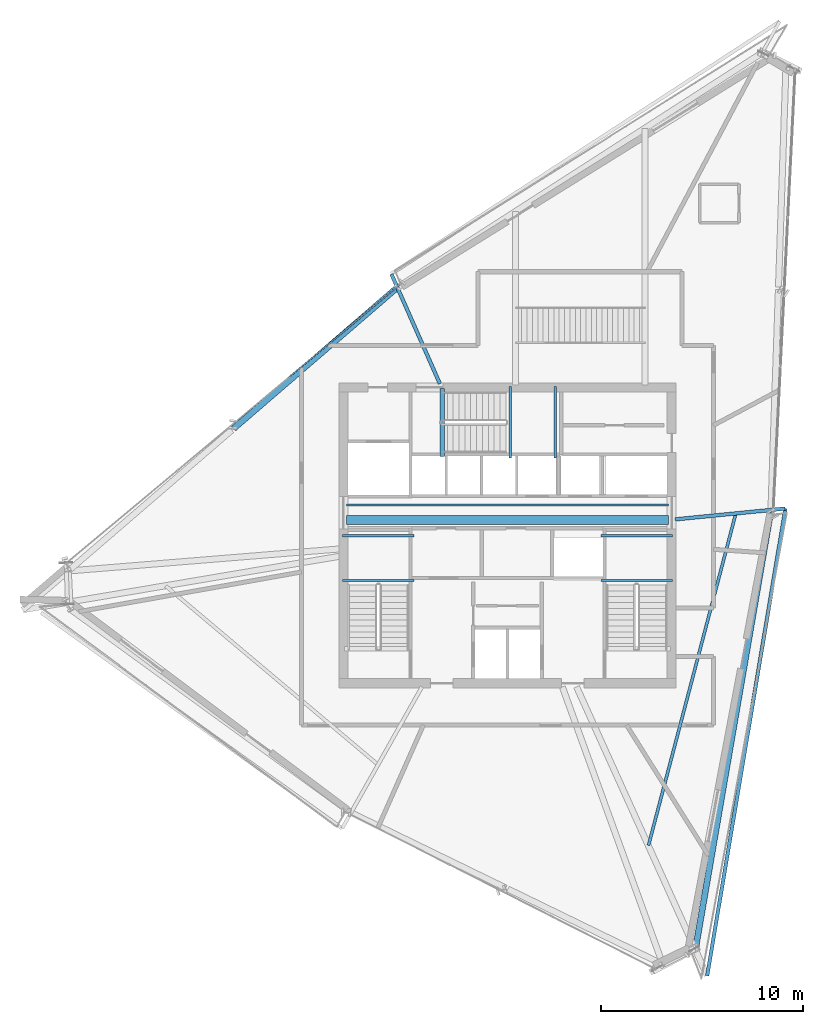
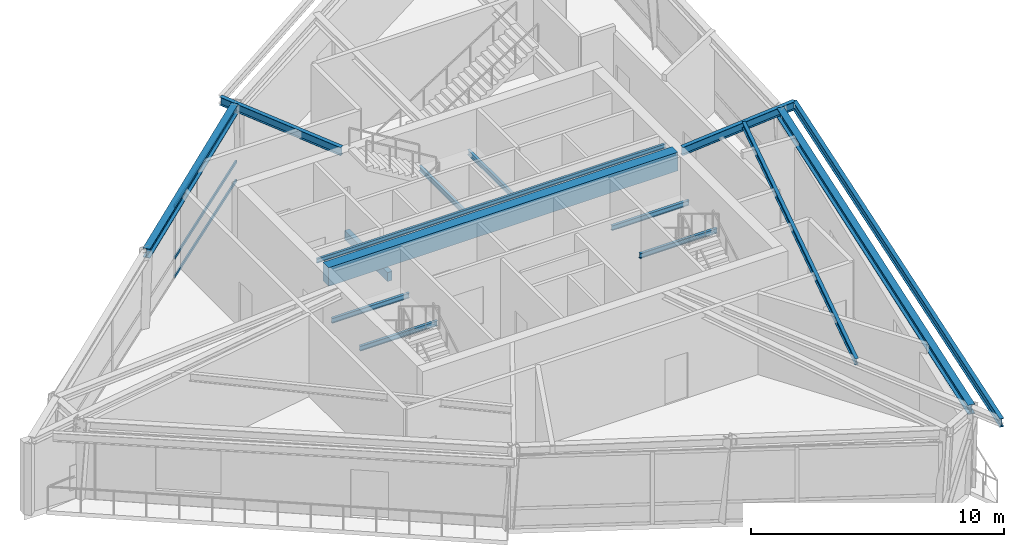
# One storey, part 8 of 21: 15 beams, 3 members, 1 element without a shape of its own.
"""IFC4 building model written with IfcOpenShell, lengths in metres."""

from ifc_helpers import new_model, si_unit, direction, frame, origin, origin_2d, place, context, subcontext, project, spatial, rectangle, hollow_rectangle, i_section, extrude, source, transform, mapped, material, material_profile, profile_set, type_object, element, aggregate, save


model = new_model("IFC4")

# Units and contexts
model_context = context("Model", 3, precision=1e-05, world=origin(), true_north=direction((0.0, 1.0)))
body_context = subcontext(model_context, "Body", "Model", "MODEL_VIEW")
ifc_project = project(units=[si_unit("LENGTHUNIT", "METRE"), si_unit("AREAUNIT", "SQUARE_METRE"), si_unit("VOLUMEUNIT", "CUBIC_METRE"), si_unit("PLANEANGLEUNIT", "RADIAN"), si_unit("MASSUNIT", "GRAM", prefix="KILO")], contexts=[model_context])

# Site, building, storey
site_placement = place(None, origin())
site = spatial("IfcSite", under=ifc_project, at=site_placement, CompositionType="ELEMENT")
building_placement = place(site_placement, origin())
building = spatial("IfcBuilding", under=site, at=building_placement, Name="Olszyna Solenne Hotel", CompositionType="ELEMENT")
storey_placement = place(building_placement, frame((0.0, 0.0, 277.699951171875)))
storey = spatial("IfcBuildingStorey", under=building, at=storey_placement, Name="L74", CompositionType="ELEMENT", Elevation=277.699951171875)

# Beams
ifc_material_1 = material(Name="Steel S355J2", Category="steel")
ifc_material_profile_1 = material_profile(ifc_material_1, i_section(OverallWidth=0.300048828125, OverallDepth=0.449951171875, WebThickness=0.013916015625, FlangeThickness=0.02587890625, at=origin_2d()), Name="HEB 450", Category="load-bearing")
ifc_profile_set_1 = profile_set([ifc_material_profile_1], Name="Steel S355J2")
beam_type_1 = type_object("IfcBeamType", Name="BM-S4", PredefinedType="BEAM", material=ifc_profile_set_1)
shared_shape_1 = source(origin(), body_context, "Body", "SweptSolid", [
    extrude(i_section(OverallWidth=0.300048828125, OverallDepth=0.449951171875, WebThickness=0.013916015625, FlangeThickness=0.02587890625, at=origin_2d()), origin(), (0.0, 0.0, 1.0), 10.624267578125),
])
beam_1_placement = place(storey_placement, frame((32.4853515625, 38.822021484375, 3.695068359375), z_axis=(-0.757492248722, -0.652844156844, 0.0), x_axis=(0.652844156844, -0.757492248722, 0.0)))
element("IfcBeam", 1, at=beam_1_placement, inside=storey, type_object=beam_type_1, Name="Perimeter spandrel beam BM-S4 B-L74-2170", PredefinedType="BEAM", context=body_context, shape_type="MappedRepresentation", body=[
    mapped(shared_shape_1, transform((0.0, 0.0, 0.0), x_axis=(1.0, 0.0, 0.0), y_axis=(0.0, 1.0, 0.0), z_axis=(0.0, 0.0, 1.0), scale=1.0)),
])
shared_shape_2 = source(origin(), body_context, "Body", "SweptSolid", [
    extrude(i_section(OverallWidth=0.300048828125, OverallDepth=0.449951171875, WebThickness=0.013916015625, FlangeThickness=0.02587890625, at=origin_2d()), origin(), (0.0, 0.0, 1.0), 21.869140625),
])
beam_2_placement = place(storey_placement, frame((47.326416015625, 6.226318359375, 3.695068359375), z_axis=(0.169543529494, 0.985522699691, 0.0), x_axis=(-0.985522699691, 0.169543529494, 0.0)))
element("IfcBeam", 2, at=beam_2_placement, inside=storey, type_object=beam_type_1, Name="Perimeter spandrel beam BM-S4 B-L74-2177", PredefinedType="BEAM", context=body_context, shape_type="MappedRepresentation", body=[
    mapped(shared_shape_2, transform((0.0, 0.0, 0.0), x_axis=(1.0, 0.0, 0.0), y_axis=(0.0, 1.0, 0.0), z_axis=(0.0, 0.0, 1.0), scale=1.0)),
])
ifc_material_profile_2 = material_profile(ifc_material_1, i_section(OverallWidth=0.179931640625, OverallDepth=0.39990234375, WebThickness=0.008544921875, FlangeThickness=0.013427734375, at=origin_2d()), Name="IPE 400", Category="load-bearing")
ifc_profile_set_2 = profile_set([ifc_material_profile_2], Name="Steel S355J2")
beam_type_2 = type_object("IfcBeamType", Name="BM-F5", PredefinedType="BEAM", material=ifc_profile_set_2)
shared_shape_3 = source(origin(), body_context, "Body", "SweptSolid", [
    extrude(i_section(OverallWidth=0.179931640625, OverallDepth=0.39990234375, WebThickness=0.008544921875, FlangeThickness=0.013427734375, at=origin_2d()), origin(), (0.0, 0.0, 1.0), 5.934814453125),
])
beam_3_placement = place(storey_placement, frame((32.253662109375, 39.53271484375, 3.719970703125), z_axis=(0.404206268636, -0.914667859059, 0.0), x_axis=(0.914667859059, 0.404206268636, 0.0)))
element("IfcBeam", 3, at=beam_3_placement, inside=storey, type_object=beam_type_2, Name="Radial floor girder BM-F5 B-L74-2180", PredefinedType="BEAM", context=body_context, shape_type="MappedRepresentation", body=[
    mapped(shared_shape_3, transform((0.0, 0.0, 0.0), x_axis=(1.0, 0.0, 0.0), y_axis=(0.0, 1.0, 0.0), z_axis=(0.0, 0.0, 1.0), scale=1.0)),
])
shared_shape_4 = source(origin(), body_context, "Body", "SweptSolid", [
    extrude(i_section(OverallWidth=0.179931640625, OverallDepth=0.39990234375, WebThickness=0.008544921875, FlangeThickness=0.013427734375, at=origin_2d()), origin(), (0.0, 0.0, 1.0), 5.470947265625),
])
beam_4_placement = place(storey_placement, frame((51.7451171875, 27.922607421875, 3.719970703125), z_axis=(-0.995208877814, -0.097771619195, 0.0), x_axis=(0.097771619195, -0.995208877814, 0.0)))
element("IfcBeam", 4, at=beam_4_placement, inside=storey, type_object=beam_type_2, Name="Radial floor girder BM-F5 B-L74-2186", PredefinedType="BEAM", context=body_context, shape_type="MappedRepresentation", body=[
    mapped(shared_shape_4, transform((0.0, 0.0, 0.0), x_axis=(1.0, 0.0, 0.0), y_axis=(0.0, 1.0, 0.0), z_axis=(0.0, 0.0, 1.0), scale=1.0)),
])
ifc_material_profile_3 = material_profile(ifc_material_1, i_section(OverallWidth=0.14990234375, OverallDepth=0.300048828125, WebThickness=0.007080078125, FlangeThickness=0.0107421875, at=origin_2d()), Name="IPE 300", Category="load-bearing")
ifc_profile_set_3 = profile_set([ifc_material_profile_3], Name="Steel S355J2")
beam_type_3 = type_object("IfcBeamType", Name="JS-02", PredefinedType="JOIST", material=ifc_profile_set_3)
shared_shape_5 = source(origin(), body_context, "Body", "SweptSolid", [
    extrude(i_section(OverallWidth=0.14990234375, OverallDepth=0.300048828125, WebThickness=0.007080078125, FlangeThickness=0.0107421875, at=origin_2d()), origin(), (0.0, 0.0, 1.0), 16.976806640625),
])
beam_5_placement = place(storey_placement, frame((44.982421875, 11.245361328125, 3.77001953125), z_axis=(0.254367297613, 0.967107686819, 0.0), x_axis=(-0.967107686819, 0.254367297613, 0.0)))
element("IfcBeam", 5, at=beam_5_placement, inside=storey, type_object=beam_type_3, Name="Secondary composite floor joist JS-02 B-L74-2191", PredefinedType="JOIST", context=body_context, shape_type="MappedRepresentation", body=[
    mapped(shared_shape_5, transform((0.0, 0.0, 0.0), x_axis=(1.0, 0.0, 0.0), y_axis=(0.0, 1.0, 0.0), z_axis=(0.0, 0.0, 1.0), scale=1.0)),
])
shared_shape_6 = source(origin(), body_context, "Body", "SweptSolid", [
    extrude(i_section(OverallWidth=0.179931640625, OverallDepth=0.39990234375, WebThickness=0.008544921875, FlangeThickness=0.013427734375, at=origin_2d()), origin(), (0.0, 0.0, 1.0), 23.460205078125),
])
beam_6_placement = place(storey_placement, frame((47.886474609375, 4.787353515625, 3.719970703125), z_axis=(0.165328752966, 0.986238512452, 0.0), x_axis=(-0.986238512452, 0.165328752966, 0.0)))
element("IfcBeam", 6, at=beam_6_placement, inside=storey, type_object=beam_type_2, Name="Loggia outer edge beam BM-F5 B-L74-2195", PredefinedType="BEAM", context=body_context, shape_type="MappedRepresentation", body=[
    mapped(shared_shape_6, transform((0.0, 0.0, 0.0), x_axis=(1.0, 0.0, 0.0), y_axis=(0.0, 1.0, 0.0), z_axis=(0.0, 0.0, 1.0), scale=1.0)),
])

# Curtain wall, members
ifc_material_2 = material(Name="Anodised bronze aluminium", Category="aluminium")
curtain_wall_type = type_object("IfcCurtainWallType", Name="CW-SYS-7", PredefinedType="NOTDEFINED", material=ifc_material_2)
curtain_wall_placement = place(storey_placement, origin())
curtain_wall = element("IfcCurtainWall", 7, at=curtain_wall_placement, inside=storey, type_object=curtain_wall_type, Name="Unitised curtain wall CW-SYS-7 CW-L74-02", PredefinedType="NOTDEFINED")
ifc_material_profile_4 = material_profile(ifc_material_2, hollow_rectangle(XDim=0.06494140625, YDim=0.139892578125, WallThickness=0.00390625, at=origin_2d()), Name="TRAN 140x65x4", Category="load-bearing")
ifc_profile_set_4 = profile_set([ifc_material_profile_4], Name="Anodised bronze aluminium")
member_type = type_object("IfcMemberType", Name="CW-T2", PredefinedType="USERDEFINED", material=ifc_profile_set_4)
shared_shape_7 = source(origin(), body_context, "Body", "SweptSolid", [
    extrude(hollow_rectangle(XDim=0.06494140625, YDim=0.139892578125, WallThickness=0.00390625, at=origin_2d()), origin(), (0.0, 0.0, 1.0), 7.085693359375),
])
member_1_placement = place(storey_placement, frame((27.19921875, 34.4521484375, 0.032470703125), z_axis=(0.76778333917, 0.640709562979, 0.0), x_axis=(-0.640709562979, 0.76778333917, 0.0)))
member_1 = element("IfcMember", 8, at=member_1_placement, type_object=member_type, Name="Curtain-wall transom CW-T2 CT-L74-02-07", ObjectType="TRANSOM", PredefinedType="USERDEFINED", context=body_context, shape_type="MappedRepresentation", body=[
    mapped(shared_shape_7, transform((0.0, 0.0, 0.0), x_axis=(1.0, 0.0, 0.0), y_axis=(0.0, 1.0, 0.0), z_axis=(0.0, 0.0, 1.0), scale=1.0)),
])
member_2_placement = place(storey_placement, frame((27.19921875, 34.4521484375, 0.949951171875), z_axis=(0.76778333917, 0.640709562979, 0.0), x_axis=(-0.640709562979, 0.76778333917, 0.0)))
member_2 = element("IfcMember", 9, at=member_2_placement, type_object=member_type, Name="Curtain-wall transom CW-T2 CT-L74-02-08", ObjectType="TRANSOM", PredefinedType="USERDEFINED", context=body_context, shape_type="MappedRepresentation", body=[
    mapped(shared_shape_7, transform((0.0, 0.0, 0.0), x_axis=(1.0, 0.0, 0.0), y_axis=(0.0, 1.0, 0.0), z_axis=(0.0, 0.0, 1.0), scale=1.0)),
])
member_3_placement = place(storey_placement, frame((27.19921875, 34.4521484375, 3.429443359375), z_axis=(0.76778333917, 0.640709562979, 0.0), x_axis=(-0.640709562979, 0.76778333917, 0.0)))
member_3 = element("IfcMember", 10, at=member_3_placement, type_object=member_type, Name="Curtain-wall transom CW-T2 CT-L74-02-09", ObjectType="TRANSOM", PredefinedType="USERDEFINED", context=body_context, shape_type="MappedRepresentation", body=[
    mapped(shared_shape_7, transform((0.0, 0.0, 0.0), x_axis=(1.0, 0.0, 0.0), y_axis=(0.0, 1.0, 0.0), z_axis=(0.0, 0.0, 1.0), scale=1.0)),
])
aggregate(curtain_wall, [member_1, member_2, member_3])

# Beams
ifc_material_3 = material(Name="Concrete C50/60", Category="concrete")
ifc_material_profile_5 = material_profile(ifc_material_3, rectangle(XDim=0.449951171875, YDim=0.89990234375, at=origin_2d()), Name="RC 900x450", Category="load-bearing")
ifc_profile_set_5 = profile_set([ifc_material_profile_5], Name="Concrete C50/60")
beam_type_4 = type_object("IfcBeamType", Name="CB-01", PredefinedType="LINTEL", material=ifc_profile_set_5)
shared_shape_8 = source(origin(), body_context, "Body", "SweptSolid", [
    extrude(rectangle(XDim=0.449951171875, YDim=0.89990234375, at=origin_2d()), origin(), (0.0, 0.0, 1.0), 15.9599609375),
])
beam_7_placement = place(storey_placement, frame((30.02001953125, 27.35009765625, 3.469970703125), z_axis=(1.0, 0.0, 0.0), x_axis=(0.0, 1.0, 0.0)))
element("IfcBeam", 11, at=beam_7_placement, inside=storey, type_object=beam_type_4, Name="Core coupling lintel beam CB-01 L74", PredefinedType="LINTEL", context=body_context, shape_type="MappedRepresentation", body=[
    mapped(shared_shape_8, transform((0.0, 0.0, 0.0), x_axis=(1.0, 0.0, 0.0), y_axis=(0.0, 1.0, 0.0), z_axis=(0.0, 0.0, 1.0), scale=1.0)),
])
ifc_material_profile_6 = material_profile(ifc_material_1, i_section(OverallWidth=0.10009765625, OverallDepth=0.199951171875, WebThickness=0.005615234375, FlangeThickness=0.008544921875, at=origin_2d()), Name="IPE 200", Category="load-bearing")
ifc_profile_set_6 = profile_set([ifc_material_profile_6], Name="Steel S355J2")
beam_type_5 = type_object("IfcBeamType", Name="LN-01", PredefinedType="LINTEL", material=ifc_profile_set_6)
shared_shape_9 = source(origin(), body_context, "Body", "SweptSolid", [
    extrude(i_section(OverallWidth=0.10009765625, OverallDepth=0.199951171875, WebThickness=0.005615234375, FlangeThickness=0.008544921875, at=origin_2d()), origin(), (0.0, 0.0, 1.0), 15.9599609375),
])
beam_8_placement = place(storey_placement, frame((30.02001953125, 28.10009765625, 3.670166015625), z_axis=(1.0, 0.0, 0.0), x_axis=(0.0, 1.0, 0.0)))
element("IfcBeam", 12, at=beam_8_placement, inside=storey, type_object=beam_type_5, Name="Opening steel lintel LN-01 L74", PredefinedType="LINTEL", context=body_context, shape_type="MappedRepresentation", body=[
    mapped(shared_shape_9, transform((0.0, 0.0, 0.0), x_axis=(1.0, 0.0, 0.0), y_axis=(0.0, 1.0, 0.0), z_axis=(0.0, 0.0, 1.0), scale=1.0)),
])
ifc_material_profile_7 = material_profile(ifc_material_1, i_section(OverallWidth=0.1201171875, OverallDepth=0.239990234375, WebThickness=0.006103515625, FlangeThickness=0.009765625, at=origin_2d()), Name="IPE 240", Category="load-bearing")
ifc_profile_set_7 = profile_set([ifc_material_profile_7], Name="Steel S355J2")
beam_type_6 = type_object("IfcBeamType", Name="JS-03", PredefinedType="JOIST", material=ifc_profile_set_7)
shared_shape_10 = source(origin(), body_context, "Body", "SweptSolid", [
    extrude(i_section(OverallWidth=0.1201171875, OverallDepth=0.239990234375, WebThickness=0.006103515625, FlangeThickness=0.009765625, at=origin_2d()), origin(), (0.0, 0.0, 1.0), 3.539794921875),
])
for number, where, z_axis, x_axis, name in (
    (13, (33.3798828125, 24.360107421875, 1.775146484375), (-1.0, 0.0, 0.0), (0.0, -1.0, 0.0), "Stair landing support beam JS-03 SLB-ST1-0153"),
    (14, (33.3798828125, 26.580078125, 1.775146484375), (-1.0, 0.0, 0.0), (0.0, -1.0, 0.0), "Stair landing support beam JS-03 SLB-ST1-0154"),
    (15, (46.159912109375, 24.360107421875, 1.775146484375), (-1.0, 0.0, 0.0), (0.0, -1.0, 0.0), "Stair landing support beam JS-03 SLB-ST2-0393"),
    (16, (46.159912109375, 26.580078125, 1.775146484375), (-1.0, 0.0, 0.0), (0.0, -1.0, 0.0), "Stair landing support beam JS-03 SLB-ST2-0394"),
):
    element("IfcBeam", number, at=place(storey_placement, frame(where, z_axis=z_axis, x_axis=x_axis)), inside=storey, type_object=beam_type_6, Name=name, PredefinedType="JOIST", context=body_context, shape_type="MappedRepresentation", body=[
        mapped(shared_shape_10, transform((0.0, 0.0, 0.0), x_axis=(1.0, 0.0, 0.0), y_axis=(0.0, 1.0, 0.0), z_axis=(0.0, 0.0, 1.0), scale=1.0)),
    ])
shared_shape_11 = source(origin(), body_context, "Body", "SweptSolid", [
    extrude(i_section(OverallWidth=0.1201171875, OverallDepth=0.239990234375, WebThickness=0.006103515625, FlangeThickness=0.009765625, at=origin_2d()), origin(), (0.0, 0.0, 1.0), 3.5400390625),
])
for number, where, z_axis, x_axis, name in (
    (17, (38.139892578125, 30.419921875, 1.775146484375), (0.0, 1.0, 0.0), (-1.0, 0.0, 0.0), "Stair landing support beam JS-03 SLB-ST3-0633"),
    (18, (40.360107421875, 30.419921875, 1.775146484375), (0.0, 1.0, 0.0), (-1.0, 0.0, 0.0), "Stair landing support beam JS-03 SLB-ST3-0634"),
):
    element("IfcBeam", number, at=place(storey_placement, frame(where, z_axis=z_axis, x_axis=x_axis)), inside=storey, type_object=beam_type_6, Name=name, PredefinedType="JOIST", context=body_context, shape_type="MappedRepresentation", body=[
        mapped(shared_shape_11, transform((0.0, 0.0, 0.0), x_axis=(1.0, 0.0, 0.0), y_axis=(0.0, 1.0, 0.0), z_axis=(0.0, 0.0, 1.0), scale=1.0)),
    ])
ifc_material_profile_8 = material_profile(ifc_material_3, rectangle(XDim=0.219970703125, YDim=0.43994140625, at=origin_2d()), Name="RC 220x440", Category="load-bearing")
ifc_profile_set_8 = profile_set([ifc_material_profile_8], Name="Concrete C50/60")
beam_type_7 = type_object("IfcBeamType", Name="BM-ST1", PredefinedType="BEAM", material=ifc_profile_set_8)
shared_shape_12 = source(origin(), body_context, "Body", "SweptSolid", [
    extrude(rectangle(XDim=0.219970703125, YDim=0.43994140625, at=origin_2d()), origin(), (0.0, 0.0, 1.0), 3.3798828125),
])
beam_9_placement = place(storey_placement, frame((34.760009765625, 30.5, -0.204833984375), z_axis=(0.0, 1.0, 0.0), x_axis=(-1.0, 0.0, 0.0)))
element("IfcBeam", 19, at=beam_9_placement, inside=storey, type_object=beam_type_7, Name="Concrete stair trimmer beam BM-ST1 SHB-ST3-0714", PredefinedType="BEAM", context=body_context, shape_type="MappedRepresentation", body=[
    mapped(shared_shape_12, transform((0.0, 0.0, 0.0), x_axis=(1.0, 0.0, 0.0), y_axis=(0.0, 1.0, 0.0), z_axis=(0.0, 0.0, 1.0), scale=1.0)),
])

save(model, "model.ifc")
